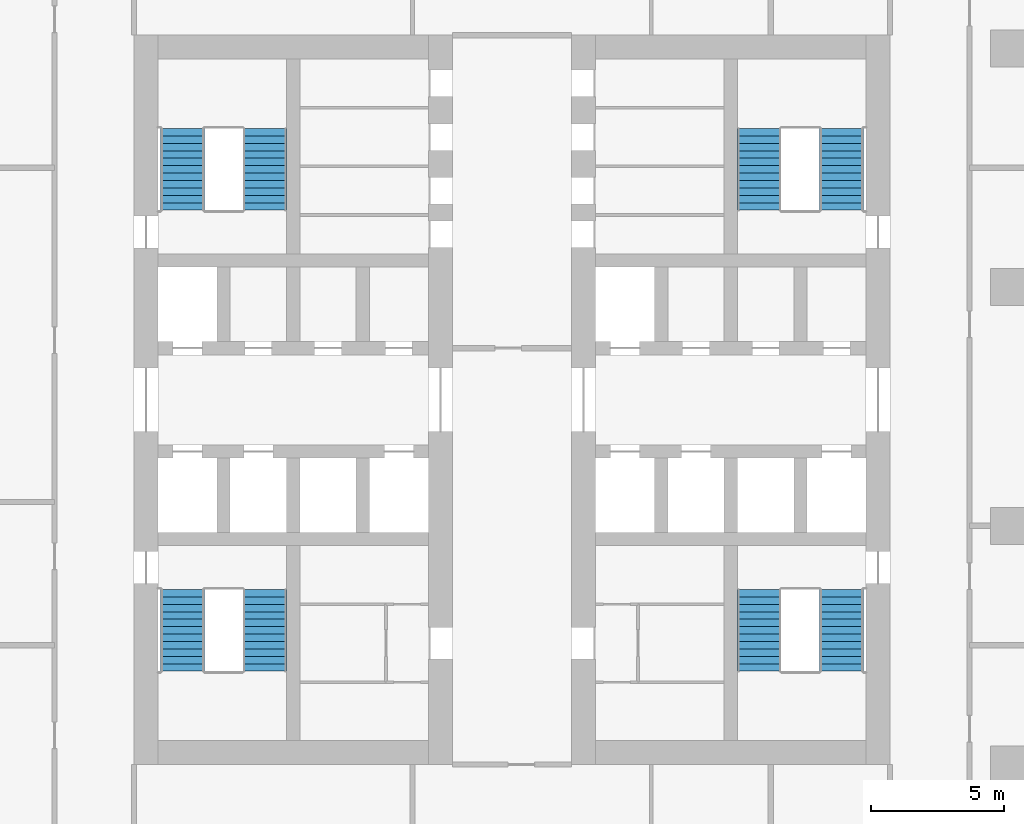
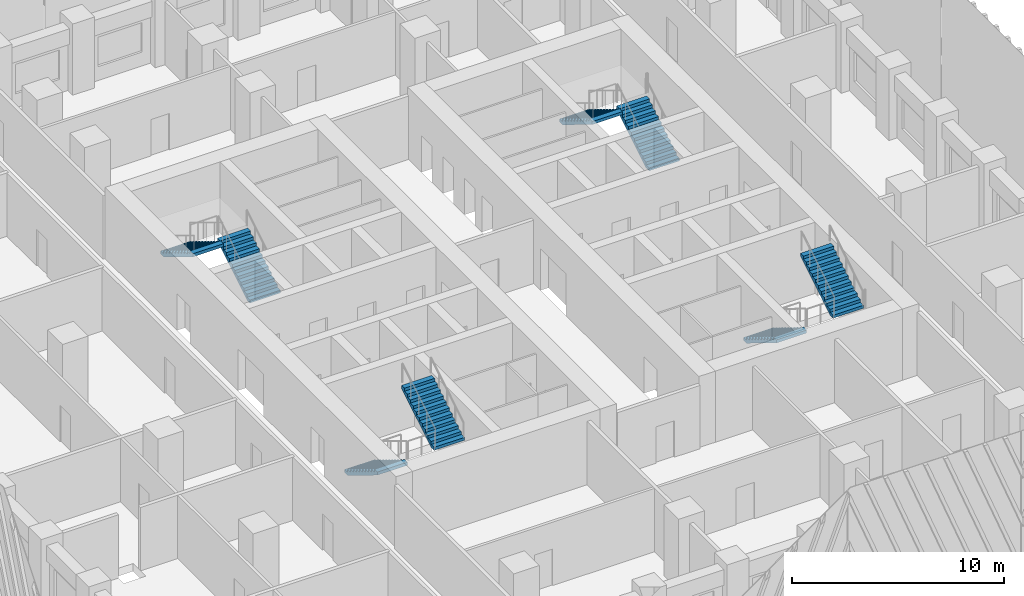
# One storey, part 9 of 19: 8 stair flights, 4 elements without a shape of their own.
"""IFC4 building model written with IfcOpenShell, lengths in metres."""

from ifc_helpers import new_model, si_unit, direction, frame, origin, place, context, subcontext, project, spatial, polyline, outline, extrude, material, type_object, element, aggregate, save


model = new_model("IFC4")

# Units and contexts
model_context = context("Model", 3, precision=1e-05, world=origin(), true_north=direction((0.0, 1.0)))
body_context = subcontext(model_context, "Body", "Model", "MODEL_VIEW")
ifc_project = project(units=[si_unit("LENGTHUNIT", "METRE"), si_unit("AREAUNIT", "SQUARE_METRE"), si_unit("VOLUMEUNIT", "CUBIC_METRE"), si_unit("PLANEANGLEUNIT", "RADIAN"), si_unit("MASSUNIT", "GRAM", prefix="KILO")], contexts=[model_context])

# Site, building, storey
site_placement = place(None, origin())
site = spatial("IfcSite", under=ifc_project, at=site_placement, CompositionType="ELEMENT")
building_placement = place(site_placement, origin())
building = spatial("IfcBuilding", under=site, at=building_placement, Name="Corbel Stack Research Tower", CompositionType="ELEMENT")
storey_placement = place(building_placement, frame((0.0, 0.0, 116.699951171875)))
storey = spatial("IfcBuildingStorey", under=building, at=storey_placement, Name="L26", CompositionType="ELEMENT", Elevation=116.699951171875)

# Stair, stair flights
ifc_material_1 = material(Name="Concrete C40/50", Category="concrete")
stair_type = type_object("IfcStairType", Name="Exit stair 24 risers", PredefinedType="HALF_TURN_STAIR", material=ifc_material_1)
stair_1_placement = place(storey_placement, origin())
stair_1 = element("IfcStair", 1, at=stair_1_placement, inside=storey, type_object=stair_type, Name="L26 Exit stair ST-W1", PredefinedType="HALF_TURN_STAIR")
ifc_material_2 = material(Name="Concrete C40/50", Category="concrete")
stair_flight_type = type_object("IfcStairFlightType", Name="Stair flight 12 risers", PredefinedType="STRAIGHT", material=ifc_material_2)
stair_flight_1_placement = place(storey_placement, frame((-8.675048828125, -2.39990234375, 0.0), z_axis=(0.0, 0.0, 1.0), x_axis=(0.0, -1.0, 0.0)))
stair_flight_1 = element("IfcStairFlight", 2, at=stair_flight_1_placement, type_object=stair_flight_type, Name="ST-W1 flight 1", NumberOfRisers=12, NumberOfTreads=11, PredefinedType="STRAIGHT", RiserHeight=0.170833333, TreadLength=0.28, context=body_context, shape_type="SweptSolid", body=[
    extrude(outline(polyline([(0.0, 0.0), (0.0, 0.1708984375), (0.280029296875, 0.1708984375), (0.280029296875, 0.341552734375), (0.56005859375, 0.341552734375), (0.56005859375, 0.512451171875), (0.840087890625, 0.512451171875), (0.840087890625, 0.683349609375), (1.1201171875, 0.683349609375), (1.1201171875, 0.854248046875), (1.39990234375, 0.854248046875), (1.39990234375, 1.02490234375), (1.679931640625, 1.02490234375), (1.679931640625, 1.19580078125), (1.9599609375, 1.19580078125), (1.9599609375, 1.36669921875), (2.239990234375, 1.36669921875), (2.239990234375, 1.53759765625), (2.52001953125, 1.53759765625), (2.52001953125, 1.708251953125), (2.800048828125, 1.708251953125), (2.800048828125, 1.879150390625), (3.080078125, 1.879150390625), (3.080078125, 2.050048828125), (3.080078125, 1.70361328125), (0.287841796875, 0.0), (0.0, 0.0)])), frame((0.0, 0.824951171875, 0.0), z_axis=(0.0, -1.0, 0.0), x_axis=(1.0, 0.0, 0.0)), (0.0, 0.0, 1.0), 1.64990234375),
])
stair_flight_2_placement = place(storey_placement, frame((-5.574951171875, -5.47998046875, 2.050048828125), z_axis=(0.0, 0.0, 1.0), x_axis=(0.0, 1.0, 0.0)))
stair_flight_2 = element("IfcStairFlight", 3, at=stair_flight_2_placement, type_object=stair_flight_type, Name="ST-W1 flight 2", NumberOfRisers=12, NumberOfTreads=11, PredefinedType="STRAIGHT", RiserHeight=0.170833333, TreadLength=0.28, context=body_context, shape_type="SweptSolid", body=[
    extrude(outline(polyline([(0.0, 0.0), (0.0, 0.1708984375), (0.280029296875, 0.1708984375), (0.280029296875, 0.341552734375), (0.56005859375, 0.341552734375), (0.56005859375, 0.512451171875), (0.840087890625, 0.512451171875), (0.840087890625, 0.683349609375), (1.1201171875, 0.683349609375), (1.1201171875, 0.854248046875), (1.39990234375, 0.854248046875), (1.39990234375, 1.02490234375), (1.679931640625, 1.02490234375), (1.679931640625, 1.19580078125), (1.9599609375, 1.19580078125), (1.9599609375, 1.36669921875), (2.239990234375, 1.36669921875), (2.239990234375, 1.53759765625), (2.52001953125, 1.53759765625), (2.52001953125, 1.708251953125), (2.800048828125, 1.708251953125), (2.800048828125, 1.879150390625), (3.080078125, 1.879150390625), (3.080078125, 2.050048828125), (3.080078125, 1.70361328125), (0.287841796875, 0.0), (0.0, 0.0)])), frame((0.0, 0.824951171875, 0.0), z_axis=(0.0, -1.0, 0.0), x_axis=(1.0, 0.0, 0.0)), (0.0, 0.0, 1.0), 1.64990234375),
])
aggregate(stair_1, [stair_flight_1, stair_flight_2])

stair_2_placement = place(storey_placement, origin())
stair_2 = element("IfcStair", 4, at=stair_2_placement, inside=storey, type_object=stair_type, Name="L26 Exit stair ST-W2", PredefinedType="HALF_TURN_STAIR")
stair_flight_3_placement = place(storey_placement, frame((-5.574951171875, 11.89990234375, 0.0), z_axis=(0.0, 0.0, 1.0), x_axis=(0.0, 1.0, 0.0)))
stair_flight_3 = element("IfcStairFlight", 5, at=stair_flight_3_placement, type_object=stair_flight_type, Name="ST-W2 flight 1", NumberOfRisers=12, NumberOfTreads=11, PredefinedType="STRAIGHT", RiserHeight=0.170833333, TreadLength=0.28, context=body_context, shape_type="SweptSolid", body=[
    extrude(outline(polyline([(0.0, 0.0), (0.0, 0.1708984375), (0.280029296875, 0.1708984375), (0.280029296875, 0.341552734375), (0.56005859375, 0.341552734375), (0.56005859375, 0.512451171875), (0.840087890625, 0.512451171875), (0.840087890625, 0.683349609375), (1.1201171875, 0.683349609375), (1.1201171875, 0.854248046875), (1.39990234375, 0.854248046875), (1.39990234375, 1.02490234375), (1.679931640625, 1.02490234375), (1.679931640625, 1.19580078125), (1.9599609375, 1.19580078125), (1.9599609375, 1.36669921875), (2.239990234375, 1.36669921875), (2.239990234375, 1.53759765625), (2.52001953125, 1.53759765625), (2.52001953125, 1.708251953125), (2.800048828125, 1.708251953125), (2.800048828125, 1.879150390625), (3.080078125, 1.879150390625), (3.080078125, 2.050048828125), (3.080078125, 1.70361328125), (0.287841796875, 0.0), (0.0, 0.0)])), frame((0.0, 0.824951171875, 0.0), z_axis=(0.0, -1.0, 0.0), x_axis=(1.0, 0.0, 0.0)), (0.0, 0.0, 1.0), 1.64990234375),
])
stair_flight_4_placement = place(storey_placement, frame((-8.675048828125, 14.97998046875, 2.050048828125), z_axis=(0.0, 0.0, 1.0), x_axis=(0.0, -1.0, 0.0)))
stair_flight_4 = element("IfcStairFlight", 6, at=stair_flight_4_placement, type_object=stair_flight_type, Name="ST-W2 flight 2", NumberOfRisers=12, NumberOfTreads=11, PredefinedType="STRAIGHT", RiserHeight=0.170833333, TreadLength=0.28, context=body_context, shape_type="SweptSolid", body=[
    extrude(outline(polyline([(0.0, 0.0), (0.0, 0.1708984375), (0.280029296875, 0.1708984375), (0.280029296875, 0.341552734375), (0.56005859375, 0.341552734375), (0.56005859375, 0.512451171875), (0.840087890625, 0.512451171875), (0.840087890625, 0.683349609375), (1.1201171875, 0.683349609375), (1.1201171875, 0.854248046875), (1.39990234375, 0.854248046875), (1.39990234375, 1.02490234375), (1.679931640625, 1.02490234375), (1.679931640625, 1.19580078125), (1.9599609375, 1.19580078125), (1.9599609375, 1.36669921875), (2.239990234375, 1.36669921875), (2.239990234375, 1.53759765625), (2.52001953125, 1.53759765625), (2.52001953125, 1.708251953125), (2.800048828125, 1.708251953125), (2.800048828125, 1.879150390625), (3.080078125, 1.879150390625), (3.080078125, 2.050048828125), (3.080078125, 1.70361328125), (0.287841796875, 0.0), (0.0, 0.0)])), frame((0.0, 0.824951171875, 0.0), z_axis=(0.0, -1.0, 0.0), x_axis=(1.0, 0.0, 0.0)), (0.0, 0.0, 1.0), 1.64990234375),
])
aggregate(stair_2, [stair_flight_3, stair_flight_4])

stair_3_placement = place(storey_placement, origin())
stair_3 = element("IfcStair", 7, at=stair_3_placement, inside=storey, type_object=stair_type, Name="L26 Exit stair ST-E1", PredefinedType="HALF_TURN_STAIR")
stair_flight_5_placement = place(storey_placement, frame((13.074951171875, -2.39990234375, 0.0), z_axis=(0.0, 0.0, 1.0), x_axis=(0.0, -1.0, 0.0)))
stair_flight_5 = element("IfcStairFlight", 8, at=stair_flight_5_placement, type_object=stair_flight_type, Name="ST-E1 flight 1", NumberOfRisers=12, NumberOfTreads=11, PredefinedType="STRAIGHT", RiserHeight=0.170833333, TreadLength=0.28, context=body_context, shape_type="SweptSolid", body=[
    extrude(outline(polyline([(0.0, 0.0), (0.0, 0.1708984375), (0.280029296875, 0.1708984375), (0.280029296875, 0.341552734375), (0.56005859375, 0.341552734375), (0.56005859375, 0.512451171875), (0.840087890625, 0.512451171875), (0.840087890625, 0.683349609375), (1.1201171875, 0.683349609375), (1.1201171875, 0.854248046875), (1.39990234375, 0.854248046875), (1.39990234375, 1.02490234375), (1.679931640625, 1.02490234375), (1.679931640625, 1.19580078125), (1.9599609375, 1.19580078125), (1.9599609375, 1.36669921875), (2.239990234375, 1.36669921875), (2.239990234375, 1.53759765625), (2.52001953125, 1.53759765625), (2.52001953125, 1.708251953125), (2.800048828125, 1.708251953125), (2.800048828125, 1.879150390625), (3.080078125, 1.879150390625), (3.080078125, 2.050048828125), (3.080078125, 1.70361328125), (0.287841796875, 0.0), (0.0, 0.0)])), frame((0.0, 0.824951171875, 0.0), z_axis=(0.0, -1.0, 0.0), x_axis=(1.0, 0.0, 0.0)), (0.0, 0.0, 1.0), 1.64990234375),
])
stair_flight_6_placement = place(storey_placement, frame((16.175048828125, -5.47998046875, 2.050048828125), z_axis=(0.0, 0.0, 1.0), x_axis=(0.0, 1.0, 0.0)))
stair_flight_6 = element("IfcStairFlight", 9, at=stair_flight_6_placement, type_object=stair_flight_type, Name="ST-E1 flight 2", NumberOfRisers=12, NumberOfTreads=11, PredefinedType="STRAIGHT", RiserHeight=0.170833333, TreadLength=0.28, context=body_context, shape_type="SweptSolid", body=[
    extrude(outline(polyline([(0.0, 0.0), (0.0, 0.1708984375), (0.280029296875, 0.1708984375), (0.280029296875, 0.341552734375), (0.56005859375, 0.341552734375), (0.56005859375, 0.512451171875), (0.840087890625, 0.512451171875), (0.840087890625, 0.683349609375), (1.1201171875, 0.683349609375), (1.1201171875, 0.854248046875), (1.39990234375, 0.854248046875), (1.39990234375, 1.02490234375), (1.679931640625, 1.02490234375), (1.679931640625, 1.19580078125), (1.9599609375, 1.19580078125), (1.9599609375, 1.36669921875), (2.239990234375, 1.36669921875), (2.239990234375, 1.53759765625), (2.52001953125, 1.53759765625), (2.52001953125, 1.708251953125), (2.800048828125, 1.708251953125), (2.800048828125, 1.879150390625), (3.080078125, 1.879150390625), (3.080078125, 2.050048828125), (3.080078125, 1.70361328125), (0.287841796875, 0.0), (0.0, 0.0)])), frame((0.0, 0.824951171875, 0.0), z_axis=(0.0, -1.0, 0.0), x_axis=(1.0, 0.0, 0.0)), (0.0, 0.0, 1.0), 1.64990234375),
])
aggregate(stair_3, [stair_flight_5, stair_flight_6])

stair_4_placement = place(storey_placement, origin())
stair_4 = element("IfcStair", 10, at=stair_4_placement, inside=storey, type_object=stair_type, Name="L26 Exit stair ST-E2", PredefinedType="HALF_TURN_STAIR")
stair_flight_7_placement = place(storey_placement, frame((16.175048828125, 11.89990234375, 0.0), z_axis=(0.0, 0.0, 1.0), x_axis=(0.0, 1.0, 0.0)))
stair_flight_7 = element("IfcStairFlight", 11, at=stair_flight_7_placement, type_object=stair_flight_type, Name="ST-E2 flight 1", NumberOfRisers=12, NumberOfTreads=11, PredefinedType="STRAIGHT", RiserHeight=0.170833333, TreadLength=0.28, context=body_context, shape_type="SweptSolid", body=[
    extrude(outline(polyline([(0.0, 0.0), (0.0, 0.1708984375), (0.280029296875, 0.1708984375), (0.280029296875, 0.341552734375), (0.56005859375, 0.341552734375), (0.56005859375, 0.512451171875), (0.840087890625, 0.512451171875), (0.840087890625, 0.683349609375), (1.1201171875, 0.683349609375), (1.1201171875, 0.854248046875), (1.39990234375, 0.854248046875), (1.39990234375, 1.02490234375), (1.679931640625, 1.02490234375), (1.679931640625, 1.19580078125), (1.9599609375, 1.19580078125), (1.9599609375, 1.36669921875), (2.239990234375, 1.36669921875), (2.239990234375, 1.53759765625), (2.52001953125, 1.53759765625), (2.52001953125, 1.708251953125), (2.800048828125, 1.708251953125), (2.800048828125, 1.879150390625), (3.080078125, 1.879150390625), (3.080078125, 2.050048828125), (3.080078125, 1.70361328125), (0.287841796875, 0.0), (0.0, 0.0)])), frame((0.0, 0.824951171875, 0.0), z_axis=(0.0, -1.0, 0.0), x_axis=(1.0, 0.0, 0.0)), (0.0, 0.0, 1.0), 1.64990234375),
])
stair_flight_8_placement = place(storey_placement, frame((13.074951171875, 14.97998046875, 2.050048828125), z_axis=(0.0, 0.0, 1.0), x_axis=(0.0, -1.0, 0.0)))
stair_flight_8 = element("IfcStairFlight", 12, at=stair_flight_8_placement, type_object=stair_flight_type, Name="ST-E2 flight 2", NumberOfRisers=12, NumberOfTreads=11, PredefinedType="STRAIGHT", RiserHeight=0.170833333, TreadLength=0.28, context=body_context, shape_type="SweptSolid", body=[
    extrude(outline(polyline([(0.0, 0.0), (0.0, 0.1708984375), (0.280029296875, 0.1708984375), (0.280029296875, 0.341552734375), (0.56005859375, 0.341552734375), (0.56005859375, 0.512451171875), (0.840087890625, 0.512451171875), (0.840087890625, 0.683349609375), (1.1201171875, 0.683349609375), (1.1201171875, 0.854248046875), (1.39990234375, 0.854248046875), (1.39990234375, 1.02490234375), (1.679931640625, 1.02490234375), (1.679931640625, 1.19580078125), (1.9599609375, 1.19580078125), (1.9599609375, 1.36669921875), (2.239990234375, 1.36669921875), (2.239990234375, 1.53759765625), (2.52001953125, 1.53759765625), (2.52001953125, 1.708251953125), (2.800048828125, 1.708251953125), (2.800048828125, 1.879150390625), (3.080078125, 1.879150390625), (3.080078125, 2.050048828125), (3.080078125, 1.70361328125), (0.287841796875, 0.0), (0.0, 0.0)])), frame((0.0, 0.824951171875, 0.0), z_axis=(0.0, -1.0, 0.0), x_axis=(1.0, 0.0, 0.0)), (0.0, 0.0, 1.0), 1.64990234375),
])
aggregate(stair_4, [stair_flight_7, stair_flight_8])

save(model, "model.ifc")
